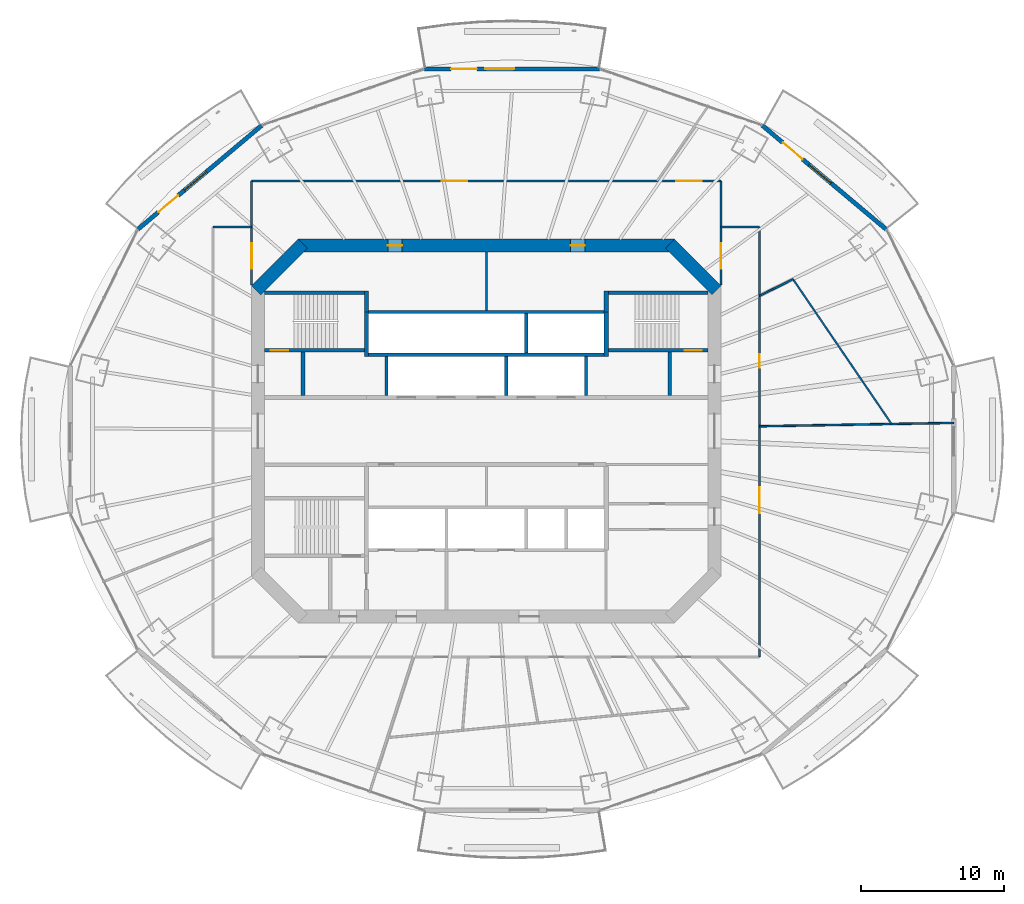
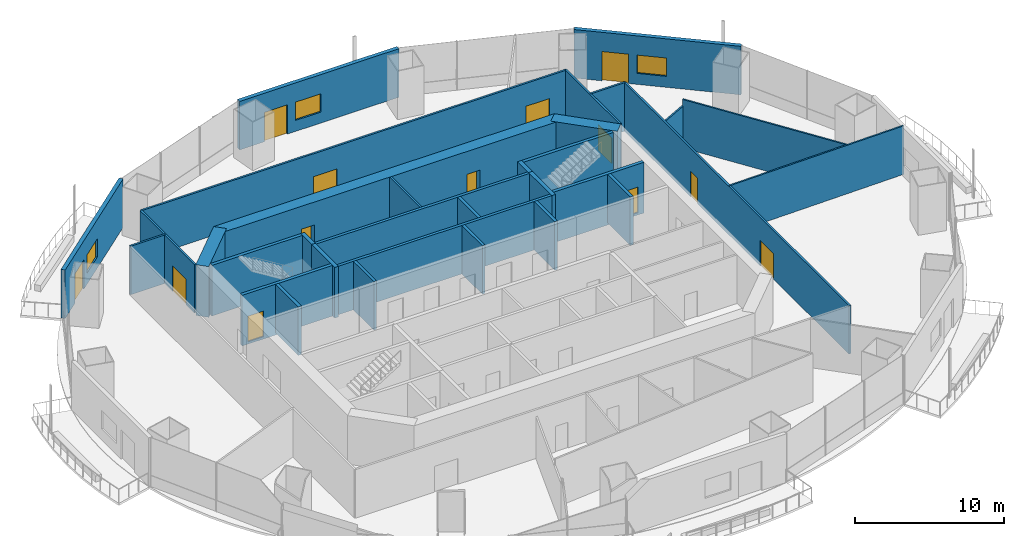
# One storey, part 14 of 21: 32 walls, 13 doors, 3 windows, 16 openings.
"""IFC4 building model written with IfcOpenShell, lengths in metres."""

import ifcopenshell
import ifcopenshell.guid

model = None  # the IFC model being written
_history = None  # IfcOwnerHistory: only IFC2X3 demands one
_inside = {}  # id of a spatial element -> (the spatial element, [elements in it])
_under = {}  # id of a project, library or spatial element -> (it, [spatial elements below it])
_declared = {}  # id of a project -> (the project, [libraries it declares])
_typed = {}  # id of a type object -> (the type object, [elements of that type])
_made_of = {}  # id of a material, layer set ... -> (it, [elements and type objects made of it])


def new_model(schema):
    """Start an empty IFC model of exactly this schema.

    Asked for "IFC4X3", IfcOpenShell would pick the latest addendum, in which some entities
    have other attributes; the version numbers below select the first issue.
    IFC2X3 requires an IfcOwnerHistory on every rooted entity: one is made here for all.
    """
    global model, _history
    if schema == "IFC4X3":
        model = ifcopenshell.file(schema_version=(4, 3, 0, 0))
    else:
        model = ifcopenshell.file(schema=schema)
    _inside.clear()
    _under.clear()
    _declared.clear()
    _typed.clear()
    _made_of.clear()
    _history = None
    if model.schema == "IFC2X3":
        org = make("IfcOrganization", Name="unknown")
        user = make(
            "IfcPersonAndOrganization",
            ThePerson=make("IfcPerson", FamilyName="unknown"),
            TheOrganization=org,
        )
        app = make(
            "IfcApplication",
            ApplicationDeveloper=org,
            Version="unknown",
            ApplicationFullName="unknown",
            ApplicationIdentifier="unknown",
        )
        _history = make(
            "IfcOwnerHistory",
            OwningUser=user,
            OwningApplication=app,
            ChangeAction="ADDED",
            CreationDate=0,
        )
    return model


def make(cls, **values):
    """One entity of the class cls with the attributes given. An attribute that is None is left unset."""
    return model.create_entity(
        cls, **{name: value for name, value in values.items() if value is not None}
    )


def rooted(cls, **values):
    """An entity with a GlobalId (a new one), such as an element, a storey or a relation."""
    return make(cls, GlobalId=ifcopenshell.guid.new(), OwnerHistory=_history, **values)


def si_unit(unit_type, name, prefix=None):
    """IfcSIUnit, for example si_unit("LENGTHUNIT", "METRE", prefix="MILLI")."""
    return make("IfcSIUnit", UnitType=unit_type, Prefix=prefix, Name=name)


def assignment(units):
    """IfcUnitAssignment: the units of a project."""
    return None if units is None else make("IfcUnitAssignment", Units=units)


def point(xyz):
    """IfcCartesianPoint."""
    return None if xyz is None else make("IfcCartesianPoint", Coordinates=xyz)


def direction(xyz):
    """IfcDirection."""
    return None if xyz is None else make("IfcDirection", DirectionRatios=xyz)


def frame(location, z_axis=None, x_axis=None):
    """IfcAxis2Placement3D, a coordinate frame: its origin and axes. An axis left out is left unset."""
    return make(
        "IfcAxis2Placement3D",
        Location=point(location),
        Axis=direction(z_axis),
        RefDirection=direction(x_axis),
    )


def frame_2d(location, x_axis=None):
    """IfcAxis2Placement2D, a coordinate frame in the plane: its origin and x axis."""
    return make(
        "IfcAxis2Placement2D", Location=point(location), RefDirection=direction(x_axis)
    )


def origin():
    """The frame at (0, 0, 0) with its axes left unset."""
    return frame((0.0, 0.0, 0.0))


def place(relative_to, where):
    """IfcLocalPlacement: puts the frame where relative to a parent placement (None: the world)."""
    return make(
        "IfcLocalPlacement", PlacementRelTo=relative_to, RelativePlacement=where
    )


def context(
    kind, dimensions, precision=None, world=None, true_north=None, identifier=None
):
    """IfcGeometricRepresentationContext, for example the 3D "Model" context."""
    return make(
        "IfcGeometricRepresentationContext",
        ContextIdentifier=identifier,
        ContextType=kind,
        CoordinateSpaceDimension=dimensions,
        Precision=precision,
        WorldCoordinateSystem=world,
        TrueNorth=true_north,
    )


def subcontext(parent, identifier, kind, view, scale=None):
    """IfcGeometricRepresentationSubContext, for example "Body" below "Model"."""
    return make(
        "IfcGeometricRepresentationSubContext",
        ContextIdentifier=identifier,
        ContextType=kind,
        ParentContext=parent,
        TargetScale=scale,
        TargetView=view,
    )


def project(units=None, contexts=None):
    """IfcProject with its units and contexts."""
    return rooted(
        "IfcProject",
        Name="project",
        RepresentationContexts=contexts,
        UnitsInContext=assignment(units),
    )


def spatial(cls, under=None, at=None, **own):
    """A site, building, storey or space (cls), placed at a placement, below another one or the project."""
    s = rooted(cls, ObjectPlacement=at, **own)
    if under is not None:
        _under.setdefault(under.id(), (under, []))[1].append(s)
    return s


def profile(cls, at=None, kind="AREA", **sizes):
    """A parametric profile (cls). Its sizes go by their IFC names, for example OverallWidth=200.0."""
    return make(cls, ProfileType=kind, Position=at, **sizes)


def rectangle(**sizes):
    """IfcRectangleProfileDef."""
    return profile("IfcRectangleProfileDef", **sizes)


def extrude(swept, where, along, depth):
    """IfcExtrudedAreaSolid: the profile swept, set in the frame where, extruded along a direction by depth."""
    return make(
        "IfcExtrudedAreaSolid",
        SweptArea=swept,
        Position=where,
        ExtrudedDirection=direction(along),
        Depth=depth,
    )


def shape(context_of_items, identifier, shape_type, items):
    """IfcShapeRepresentation: the items that make up one representation, for example the "Body"."""
    return make(
        "IfcShapeRepresentation",
        ContextOfItems=context_of_items,
        RepresentationIdentifier=identifier,
        RepresentationType=shape_type,
        Items=items,
    )


def material(Name=None, Category=None):
    """IfcMaterial."""
    return make("IfcMaterial", Name=Name, Category=Category)


def layer(
    of_material, thickness, ventilated=None, Name=None, Category=None, Priority=None
):
    """IfcMaterialLayer: one layer of a wall or slab, of a material (None: an air gap)."""
    return make(
        "IfcMaterialLayer",
        Material=of_material,
        LayerThickness=thickness,
        IsVentilated=ventilated,
        Name=Name,
        Category=Category,
        Priority=Priority,
    )


def layer_set(layers, Name=None):
    """IfcMaterialLayerSet."""
    return make("IfcMaterialLayerSet", MaterialLayers=layers, LayerSetName=Name)


def made_of(thing, what):
    """Note that an element or type object is made of a material, layer set ...; save() writes the relation."""
    if what is not None:
        _made_of.setdefault(what.id(), (what, []))[1].append(thing)
    return thing


def type_object(cls, material=None, **own):
    """A type object (cls), such as IfcWallType, which elements share."""
    return made_of(rooted(cls, **own), material)


def element(
    cls,
    number,
    at=None,
    inside=None,
    cuts=None,
    type_object=None,
    material=None,
    context=None,
    identifier="Body",
    shape_type=None,
    held_by="IfcProductDefinitionShape",
    body=None,
    shapes=None,
    **own,
):
    """One element of the class cls, such as IfcWall. Its Tag is "e" and its number.

    at: its placement. inside: the storey or other place that contains it. cuts: it is an
    opening in that element (IfcRelVoidsElement). A single representation is given by context,
    identifier, shape_type and body (its items); several are given by shapes. held_by: the class
    of the entity that holds the representations. save() writes the other relations.
    """
    e = rooted(cls, Tag="e%d" % number, ObjectPlacement=at, **own)
    if body is not None:
        shapes = [shape(context, identifier, shape_type, body)]
    if shapes is not None:
        e.Representation = make(held_by, Representations=shapes)
    if inside is not None:
        _inside.setdefault(inside.id(), (inside, []))[1].append(e)
    if cuts is not None:
        rooted(
            "IfcRelVoidsElement", RelatingBuildingElement=cuts, RelatedOpeningElement=e
        )
    if type_object is not None:
        _typed.setdefault(type_object.id(), (type_object, []))[1].append(e)
    return made_of(e, material)


def fill(opening, filler):
    """IfcRelFillsElement: the door or window that sits in an opening."""
    return rooted(
        "IfcRelFillsElement",
        RelatingOpeningElement=opening,
        RelatedBuildingElement=filler,
    )


def aggregate(whole, parts):
    """IfcRelAggregates: a whole, such as a stair, and the parts it consists of."""
    return rooted("IfcRelAggregates", RelatingObject=whole, RelatedObjects=parts)


def save(model, path):
    """Write the relations noted so far, then the file.

    IfcRelAggregates (storeys below a building ...), IfcRelContainedInSpatialStructure (elements
    in a storey), IfcRelDefinesByType, IfcRelAssociatesMaterial and IfcRelDeclares: one each for
    every whole, place, type object, material and project.
    """
    for whole, parts in _under.values():
        aggregate(whole, parts)
    for where, things in _inside.values():
        rooted(
            "IfcRelContainedInSpatialStructure",
            RelatedElements=things,
            RelatingStructure=where,
        )
    for kind, things in _typed.values():
        rooted("IfcRelDefinesByType", RelatedObjects=things, RelatingType=kind)
    for what, things in _made_of.values():
        rooted("IfcRelAssociatesMaterial", RelatedObjects=things, RelatingMaterial=what)
    for by, libraries in _declared.values():
        rooted("IfcRelDeclares", RelatingContext=by, RelatedDefinitions=libraries)
    model.write(path)


model = new_model("IFC4")

# Units and contexts
model_context = context("Model", 3, precision=1e-05, world=origin(), true_north=direction((0.0, 1.0)))
body_context = subcontext(model_context, "Body", "Model", "MODEL_VIEW")
ifc_project = project(units=[si_unit("LENGTHUNIT", "METRE"), si_unit("AREAUNIT", "SQUARE_METRE"), si_unit("VOLUMEUNIT", "CUBIC_METRE"), si_unit("PLANEANGLEUNIT", "RADIAN"), si_unit("MASSUNIT", "GRAM", prefix="KILO")], contexts=[model_context])

# Site, building, storey
site_placement = place(None, origin())
site = spatial("IfcSite", under=ifc_project, at=site_placement, CompositionType="ELEMENT")
building_placement = place(site_placement, origin())
building = spatial("IfcBuilding", under=site, at=building_placement, Name="Marenthal Gate Tower", CompositionType="ELEMENT")
storey_placement = place(building_placement, frame((0.0, 0.0, 198.39990234375)))
storey = spatial("IfcBuildingStorey", under=building, at=storey_placement, Name="L43", CompositionType="ELEMENT", Elevation=198.39990234375)

# Wall
ifc_material_1 = material(Name="Concrete 60 MPa", Category="concrete")
ifc_layer_1 = layer(ifc_material_1, 0.89990234375)
ifc_layer_set_1 = layer_set([ifc_layer_1], Name="Core shear wall 900")
wall_type_1 = type_object("IfcWallType", Name="Core shear wall 900", PredefinedType="SHEAR", material=ifc_layer_set_1)
wall_1_placement = place(storey_placement, frame((16.1318359375, 9.8681640625, -0.179931640625), z_axis=(0.0, 0.0, 1.0), x_axis=(-0.707106781187, 0.707106781187, 0.0)))
element("IfcWall", 1, at=wall_1_placement, inside=storey, type_object=wall_type_1, Name="Core wall 03", PredefinedType="SHEAR", context=body_context, shape_type="SweptSolid", body=[
    extrude(rectangle(XDim=4.615478515625, YDim=0.89990234375, at=frame_2d((2.3076171875, 0.0))), origin(), (0.0, 0.0, 1.0), 4.150146484375),
])

# Wall, openings, doors
wall_2_placement = place(storey_placement, frame((13.186279296875, 13.0, -0.179931640625), z_axis=(0.0, 0.0, 1.0), x_axis=(-1.0, 0.0, 0.0)))
wall_2 = element("IfcWall", 2, at=wall_2_placement, inside=storey, type_object=wall_type_1, Name="Core wall 04", PredefinedType="SHEAR", context=body_context, shape_type="SweptSolid", body=[
    extrude(rectangle(XDim=26.37255859375, YDim=0.89990234375, at=frame_2d((13.186279296875, 0.0))), origin(), (0.0, 0.0, 1.0), 4.150146484375),
])
opening_1_placement = place(wall_2_placement, frame((19.093505859375, 0.0, 0.179931640625)))
opening_1 = element("IfcOpeningElement", 3, at=opening_1_placement, cuts=wall_2, Name="Opening D005.03", PredefinedType="OPENING", context=body_context, shape_type="SweptSolid", body=[
    extrude(rectangle(XDim=1.0, YDim=2.10009765625, at=frame_2d((0.5, 1.050048828125))), frame((0.0, 0.4599609375, 0.0), z_axis=(0.0, -1.0, 0.0), x_axis=(1.0, 0.0, 0.0)), (0.0, 0.0, 1.0), 0.919921875),
])
opening_2_placement = place(wall_2_placement, frame((6.279296875, 0.0, 0.179931640625)))
opening_2 = element("IfcOpeningElement", 4, at=opening_2_placement, cuts=wall_2, Name="Opening D005.04", PredefinedType="OPENING", context=body_context, shape_type="SweptSolid", body=[
    extrude(rectangle(XDim=1.0, YDim=2.10009765625, at=frame_2d((0.5, 1.050048828125))), frame((0.0, 0.4599609375, 0.0), z_axis=(0.0, -1.0, 0.0), x_axis=(1.0, 0.0, 0.0)), (0.0, 0.0, 1.0), 0.919921875),
])
ifc_material_2 = material(Name="Steel fire door", Category="steel")
door_type_1 = type_object("IfcDoorType", Name="Fire door FD 45 1000 x 2100", OperationType="NOTDEFINED", PredefinedType="DOOR", material=ifc_material_2)
door_1_placement = place(opening_1_placement, origin())
door_1 = element("IfcDoor", 5, at=door_1_placement, inside=storey, type_object=door_type_1, Name="Door D005.03", OperationType="SINGLE_SWING_RIGHT", OverallHeight=2.10009765625, OverallWidth=1.0, PredefinedType="DOOR", context=body_context, shape_type="SweptSolid", body=[
    extrude(rectangle(XDim=1.0, YDim=2.10009765625, at=frame_2d((0.5, 1.050048828125))), frame((0.0, 0.02490234375, 0.0), z_axis=(0.0, -1.0, 0.0), x_axis=(1.0, 0.0, 0.0)), (0.0, 0.0, 1.0), 0.050048828125),
])
fill(opening_1, door_1)
door_2_placement = place(opening_2_placement, origin())
door_2 = element("IfcDoor", 6, at=door_2_placement, inside=storey, type_object=door_type_1, Name="Door D005.04", OperationType="SINGLE_SWING_RIGHT", OverallHeight=2.10009765625, OverallWidth=1.0, PredefinedType="DOOR", context=body_context, shape_type="SweptSolid", body=[
    extrude(rectangle(XDim=1.0, YDim=2.10009765625, at=frame_2d((0.5, 1.050048828125))), frame((0.0, 0.02490234375, 0.0), z_axis=(0.0, -1.0, 0.0), x_axis=(1.0, 0.0, 0.0)), (0.0, 0.0, 1.0), 0.050048828125),
])
fill(opening_2, door_2)

# Walls
wall_3_placement = place(storey_placement, frame((-12.8681640625, 13.1318359375, -0.179931640625), z_axis=(0.0, 0.0, 1.0), x_axis=(-0.707106781187, -0.707106781187, 0.0)))
element("IfcWall", 7, at=wall_3_placement, inside=storey, type_object=wall_type_1, Name="Core wall 05", PredefinedType="SHEAR", context=body_context, shape_type="SweptSolid", body=[
    extrude(rectangle(XDim=4.615478515625, YDim=0.89990234375, at=frame_2d((2.3076171875, 0.0))), origin(), (0.0, 0.0, 1.0), 4.150146484375),
])
ifc_material_3 = material(Name="Concrete 50 MPa", Category="concrete")
ifc_layer_2 = layer(ifc_material_3, 0.300048828125)
ifc_layer_set_2 = layer_set([ifc_layer_2], Name="Hoistway shear wall 300")
wall_type_2 = type_object("IfcWallType", Name="Hoistway shear wall 300", PredefinedType="SHEAR", material=ifc_layer_set_2)
for number, where, z_axis, x_axis, name in (
    (8, (-8.39990234375, 5.239990234375, -0.179931640625), (0.0, 0.0, 1.0), (0.0, 1.0, 0.0), "Hoistway wall 32"),
    (9, (8.39990234375, 5.239990234375, -0.179931640625), (0.0, 0.0, 1.0), (0.0, 1.0, 0.0), "Hoistway wall 46"),
):
    element("IfcWall", number, at=place(storey_placement, frame(where, z_axis=z_axis, x_axis=x_axis)), inside=storey, type_object=wall_type_2, Name=name, PredefinedType="SHEAR", context=body_context, shape_type="SweptSolid", body=[
        extrude(rectangle(XDim=3.110107421875, YDim=0.300048828125, at=frame_2d((1.55517578125, 0.0))), origin(), (0.0, 0.0, 1.0), 4.150146484375),
    ])
ifc_material_4 = material(Name="Concrete 40 MPa", Category="concrete")
ifc_layer_3 = layer(ifc_material_4, 0.219970703125)
ifc_layer_set_3 = layer_set([ifc_layer_3], Name="Hoistway wall 220")
wall_type_3 = type_object("IfcWallType", Name="Hoistway wall 220", PredefinedType="STANDARD", material=ifc_layer_set_3)
for number, where, z_axis, x_axis, name in (
    (10, (-8.25, 5.35009765625, 0.0), (0.0, 0.0, 1.0), (1.0, 0.0, 0.0), "Hoistway wall 22"),
    (11, (-8.25, 8.35009765625, 0.0), (0.0, 0.0, 1.0), (1.0, 0.0, 0.0), "Hoistway wall 25"),
):
    element("IfcWall", number, at=place(storey_placement, frame(where, z_axis=z_axis, x_axis=x_axis)), inside=storey, type_object=wall_type_3, Name=name, PredefinedType="STANDARD", context=body_context, shape_type="SweptSolid", body=[
        extrude(rectangle(XDim=16.5, YDim=0.219970703125, at=frame_2d((8.25, 0.0))), origin(), (0.0, 0.0, 1.0), 3.97021484375),
    ])
for number, where, z_axis, x_axis, name in (
    (12, (-7.0, 2.5, 0.0), (0.0, 0.0, 1.0), (0.0, 1.0, 0.0), "Hoistway wall 34"),
    (13, (1.39990234375, 2.5, 0.0), (0.0, 0.0, 1.0), (0.0, 1.0, 0.0), "Hoistway wall 39"),
):
    element("IfcWall", number, at=place(storey_placement, frame(where, z_axis=z_axis, x_axis=x_axis)), inside=storey, type_object=wall_type_3, Name=name, PredefinedType="STANDARD", context=body_context, shape_type="SweptSolid", body=[
        extrude(rectangle(XDim=2.739990234375, YDim=0.219970703125, at=frame_2d((1.3701171875, 0.0))), origin(), (0.0, 0.0, 1.0), 3.97021484375),
    ])
wall_4_placement = place(storey_placement, frame((2.800048828125, 5.4599609375, 0.0), z_axis=(0.0, 0.0, 1.0), x_axis=(0.0, 1.0, 0.0)))
element("IfcWall", 14, at=wall_4_placement, inside=storey, type_object=wall_type_3, Name="Hoistway wall 41", PredefinedType="STANDARD", context=body_context, shape_type="SweptSolid", body=[
    extrude(rectangle(XDim=2.780029296875, YDim=0.219970703125, at=frame_2d((1.39013671875, 0.0))), origin(), (0.0, 0.0, 1.0), 3.97021484375),
])
wall_5_placement = place(storey_placement, frame((7.0, 2.5, 0.0), z_axis=(0.0, 0.0, 1.0), x_axis=(0.0, 1.0, 0.0)))
element("IfcWall", 15, at=wall_5_placement, inside=storey, type_object=wall_type_3, Name="Hoistway wall 43", PredefinedType="STANDARD", context=body_context, shape_type="SweptSolid", body=[
    extrude(rectangle(XDim=2.739990234375, YDim=0.219970703125, at=frame_2d((1.3701171875, 0.0))), origin(), (0.0, 0.0, 1.0), 3.97021484375),
])
ifc_material_5 = material(Name="Gypsum board on steel studs", Category="steel")
ifc_layer_4 = layer(ifc_material_5, 0.1201171875)
ifc_layer_set_4 = layer_set([ifc_layer_4], Name="Partition 120")
wall_type_4 = type_object("IfcWallType", Name="Partition 120", PredefinedType="PARTITIONING", material=ifc_layer_set_4)
wall_6_placement = place(storey_placement, frame((19.14990234375, 0.33251953125, 0.0), z_axis=(0.0, 0.0, 1.0), x_axis=(0.999849395868, 0.01735469912, 0.0)))
element("IfcWall", 16, at=wall_6_placement, inside=storey, type_object=wall_type_4, Name="Partition wall 65", PredefinedType="PARTITIONING", context=body_context, shape_type="SweptSolid", body=[
    extrude(rectangle(XDim=13.617431640625, YDim=0.1201171875, at=frame_2d((6.80859375, 0.0))), origin(), (0.0, 0.0, 1.0), 3.97021484375),
])
wall_7_placement = place(storey_placement, frame((21.502685546875, 10.64111328125, 0.0), z_axis=(0.0, 0.0, 1.0), x_axis=(-0.896298018084, -0.443452210254, 0.0)))
element("IfcWall", 17, at=wall_7_placement, inside=storey, type_object=wall_type_4, Name="Partition wall 67", PredefinedType="PARTITIONING", context=body_context, shape_type="SweptSolid", body=[
    extrude(rectangle(XDim=2.625, YDim=0.1201171875, at=frame_2d((1.3125, 0.0))), origin(), (0.0, 0.0, 1.0), 3.426025390625),
])
wall_8_placement = place(storey_placement, frame((28.408447265625, 0.493408203125, 0.0), z_axis=(0.0, 0.0, 1.0), x_axis=(-0.562606484452, 0.826724829464, 0.0)))
element("IfcWall", 18, at=wall_8_placement, inside=storey, type_object=wall_type_4, Name="Partition wall 68", PredefinedType="PARTITIONING", context=body_context, shape_type="SweptSolid", body=[
    extrude(rectangle(XDim=12.274658203125, YDim=0.1201171875, at=frame_2d((6.13720703125, 0.0))), origin(), (0.0, 0.0, 1.0), 3.97021484375),
])
ifc_material_6 = material(Name="Gypsum board on steel studs", Category="steel")
ifc_layer_5 = layer(ifc_material_6, 0.14990234375)
ifc_layer_set_5 = layer_set([ifc_layer_5], Name="Partition 150")
wall_type_5 = type_object("IfcWallType", Name="Partition 150", PredefinedType="PARTITIONING", material=ifc_layer_set_5)
wall_9_placement = place(storey_placement, frame((0.0, 8.4599609375, 0.0), z_axis=(0.0, 0.0, 1.0), x_axis=(0.0, 1.0, 0.0)))
element("IfcWall", 19, at=wall_9_placement, inside=storey, type_object=wall_type_5, Name="Partition wall 38", PredefinedType="PARTITIONING", context=body_context, shape_type="SweptSolid", body=[
    extrude(rectangle(XDim=4.090087890625, YDim=0.14990234375, at=frame_2d((2.044921875, 0.0))), origin(), (0.0, 0.0, 1.0), 3.97021484375),
])
wall_10_placement = place(storey_placement, frame((-19.14990234375, 14.30126953125, 0.0), z_axis=(0.0, 0.0, 1.0), x_axis=(1.0, 0.0, 0.0)))
element("IfcWall", 20, at=wall_10_placement, inside=storey, type_object=wall_type_5, Name="Partition wall 51", PredefinedType="PARTITIONING", context=body_context, shape_type="SweptSolid", body=[
    extrude(rectangle(XDim=2.699951171875, YDim=0.14990234375, at=frame_2d((1.35009765625, 0.0))), origin(), (0.0, 0.0, 1.0), 3.97021484375),
])

# Wall, opening, door
wall_11_placement = place(storey_placement, frame((-16.449951171875, 10.25, 0.0), z_axis=(0.0, 0.0, 1.0), x_axis=(0.0, 1.0, 0.0)))
wall_11 = element("IfcWall", 21, at=wall_11_placement, inside=storey, type_object=wall_type_5, Name="Partition wall 52", PredefinedType="PARTITIONING", context=body_context, shape_type="SweptSolid", body=[
    extrude(rectangle(XDim=7.284423828125, YDim=0.14990234375, at=frame_2d((3.64208984375, 0.0))), origin(), (0.0, 0.0, 1.0), 3.97021484375),
])
opening_3_placement = place(wall_11_placement, frame((1.1259765625, 0.0, 0.0)))
opening_3 = element("IfcOpeningElement", 22, at=opening_3_placement, cuts=wall_11, Name="Opening D014.05", PredefinedType="OPENING", context=body_context, shape_type="SweptSolid", body=[
    extrude(rectangle(XDim=1.800048828125, YDim=2.10009765625, at=frame_2d((0.89990234375, 1.050048828125))), frame((0.0, 0.0849609375, 0.0), z_axis=(0.0, -1.0, 0.0), x_axis=(1.0, 0.0, 0.0)), (0.0, 0.0, 1.0), 0.169921875),
])
ifc_material_7 = material(Name="Timber door", Category="wood")
door_type_2 = type_object("IfcDoorType", Name="Double door 1800 x 2100", OperationType="DOUBLE_DOOR_SINGLE_SWING", PredefinedType="DOOR", material=ifc_material_7)
door_3_placement = place(opening_3_placement, origin())
door_3 = element("IfcDoor", 23, at=door_3_placement, inside=storey, type_object=door_type_2, Name="Door D014.05", OperationType="DOUBLE_DOOR_SINGLE_SWING", OverallHeight=2.10009765625, OverallWidth=1.800048828125, PredefinedType="DOOR", context=body_context, shape_type="SweptSolid", body=[
    extrude(rectangle(XDim=1.800048828125, YDim=2.10009765625, at=frame_2d((0.89990234375, 1.050048828125))), frame((0.0, 0.02490234375, 0.0), z_axis=(0.0, -1.0, 0.0), x_axis=(1.0, 0.0, 0.0)), (0.0, 0.0, 1.0), 0.050048828125),
])
fill(opening_3, door_3)

# Wall, openings, doors
wall_12_placement = place(storey_placement, frame((-16.449951171875, 17.534423828125, 0.0), z_axis=(0.0, 0.0, 1.0), x_axis=(1.0, 0.0, 0.0)))
wall_12 = element("IfcWall", 24, at=wall_12_placement, inside=storey, type_object=wall_type_5, Name="Partition wall 53", PredefinedType="PARTITIONING", context=body_context, shape_type="SweptSolid", body=[
    extrude(rectangle(XDim=32.89990234375, YDim=0.14990234375, at=frame_2d((16.449951171875, 0.0))), origin(), (0.0, 0.0, 1.0), 3.97021484375),
])
opening_4_placement = place(wall_12_placement, frame((29.761962890625, 0.0, 0.0)))
opening_4 = element("IfcOpeningElement", 25, at=opening_4_placement, cuts=wall_12, Name="Opening D014.01", PredefinedType="OPENING", context=body_context, shape_type="SweptSolid", body=[
    extrude(rectangle(XDim=1.800048828125, YDim=2.10009765625, at=frame_2d((0.89990234375, 1.050048828125))), frame((0.0, 0.0849609375, 0.0), z_axis=(0.0, -1.0, 0.0), x_axis=(1.0, 0.0, 0.0)), (0.0, 0.0, 1.0), 0.169921875),
])
opening_5_placement = place(wall_12_placement, frame((13.31201171875, 0.0, 0.0)))
opening_5 = element("IfcOpeningElement", 26, at=opening_5_placement, cuts=wall_12, Name="Opening D014.02", PredefinedType="OPENING", context=body_context, shape_type="SweptSolid", body=[
    extrude(rectangle(XDim=1.800048828125, YDim=2.10009765625, at=frame_2d((0.89990234375, 1.050048828125))), frame((0.0, 0.0849609375, 0.0), z_axis=(0.0, -1.0, 0.0), x_axis=(1.0, 0.0, 0.0)), (0.0, 0.0, 1.0), 0.169921875),
])
door_4_placement = place(opening_4_placement, origin())
door_4 = element("IfcDoor", 27, at=door_4_placement, inside=storey, type_object=door_type_2, Name="Door D014.01", OperationType="DOUBLE_DOOR_SINGLE_SWING", OverallHeight=2.10009765625, OverallWidth=1.800048828125, PredefinedType="DOOR", context=body_context, shape_type="SweptSolid", body=[
    extrude(rectangle(XDim=1.800048828125, YDim=2.10009765625, at=frame_2d((0.89990234375, 1.050048828125))), frame((0.0, 0.02490234375, 0.0), z_axis=(0.0, -1.0, 0.0), x_axis=(1.0, 0.0, 0.0)), (0.0, 0.0, 1.0), 0.050048828125),
])
fill(opening_4, door_4)
door_5_placement = place(opening_5_placement, origin())
door_5 = element("IfcDoor", 28, at=door_5_placement, inside=storey, type_object=door_type_2, Name="Door D014.02", OperationType="DOUBLE_DOOR_SINGLE_SWING", OverallHeight=2.10009765625, OverallWidth=1.800048828125, PredefinedType="DOOR", context=body_context, shape_type="SweptSolid", body=[
    extrude(rectangle(XDim=1.800048828125, YDim=2.10009765625, at=frame_2d((0.89990234375, 1.050048828125))), frame((0.0, 0.02490234375, 0.0), z_axis=(0.0, -1.0, 0.0), x_axis=(1.0, 0.0, 0.0)), (0.0, 0.0, 1.0), 0.050048828125),
])
fill(opening_5, door_5)

# Wall, opening, door
wall_13_placement = place(storey_placement, frame((16.449951171875, 10.25, 0.0), z_axis=(0.0, 0.0, 1.0), x_axis=(0.0, 1.0, 0.0)))
wall_13 = element("IfcWall", 29, at=wall_13_placement, inside=storey, type_object=wall_type_5, Name="Partition wall 62", PredefinedType="PARTITIONING", context=body_context, shape_type="SweptSolid", body=[
    extrude(rectangle(XDim=7.284423828125, YDim=0.14990234375, at=frame_2d((3.64208984375, 0.0))), origin(), (0.0, 0.0, 1.0), 3.97021484375),
])
opening_6_placement = place(wall_13_placement, frame((1.1259765625, 0.0, 0.0)))
opening_6 = element("IfcOpeningElement", 30, at=opening_6_placement, cuts=wall_13, Name="Opening D014.06", PredefinedType="OPENING", context=body_context, shape_type="SweptSolid", body=[
    extrude(rectangle(XDim=1.800048828125, YDim=2.10009765625, at=frame_2d((0.89990234375, 1.050048828125))), frame((0.0, 0.0849609375, 0.0), z_axis=(0.0, -1.0, 0.0), x_axis=(1.0, 0.0, 0.0)), (0.0, 0.0, 1.0), 0.169921875),
])
door_6_placement = place(opening_6_placement, origin())
door_6 = element("IfcDoor", 31, at=door_6_placement, inside=storey, type_object=door_type_2, Name="Door D014.06", OperationType="DOUBLE_DOOR_SINGLE_SWING", OverallHeight=2.10009765625, OverallWidth=1.800048828125, PredefinedType="DOOR", context=body_context, shape_type="SweptSolid", body=[
    extrude(rectangle(XDim=1.800048828125, YDim=2.10009765625, at=frame_2d((0.89990234375, 1.050048828125))), frame((0.0, 0.02490234375, 0.0), z_axis=(0.0, -1.0, 0.0), x_axis=(1.0, 0.0, 0.0)), (0.0, 0.0, 1.0), 0.050048828125),
])
fill(opening_6, door_6)

# Wall
wall_14_placement = place(storey_placement, frame((16.449951171875, 14.30126953125, 0.0), z_axis=(0.0, 0.0, 1.0), x_axis=(1.0, 0.0, 0.0)))
element("IfcWall", 32, at=wall_14_placement, inside=storey, type_object=wall_type_5, Name="Partition wall 63", PredefinedType="PARTITIONING", context=body_context, shape_type="SweptSolid", body=[
    extrude(rectangle(XDim=2.699951171875, YDim=0.14990234375, at=frame_2d((1.35009765625, 0.0))), origin(), (0.0, 0.0, 1.0), 3.97021484375),
])

# Wall, openings, doors
wall_15_placement = place(storey_placement, frame((19.14990234375, 14.30126953125, 0.0), z_axis=(0.0, 0.0, 1.0), x_axis=(0.0, -1.0, 0.0)))
wall_15 = element("IfcWall", 33, at=wall_15_placement, inside=storey, type_object=wall_type_5, Name="Partition wall 66", PredefinedType="PARTITIONING", context=body_context, shape_type="SweptSolid", body=[
    extrude(rectangle(XDim=30.1513671875, YDim=0.14990234375, at=frame_2d((15.07568359375, 0.0))), origin(), (0.0, 0.0, 1.0), 3.97021484375),
])
opening_7_placement = place(wall_15_placement, frame((8.9208984375, 0.0, 0.0)))
opening_7 = element("IfcOpeningElement", 34, at=opening_7_placement, cuts=wall_15, Name="Opening D016.01", PredefinedType="OPENING", context=body_context, shape_type="SweptSolid", body=[
    extrude(rectangle(XDim=0.949951171875, YDim=2.10009765625, at=frame_2d((0.47509765625, 1.050048828125))), frame((0.0, 0.0849609375, 0.0), z_axis=(0.0, -1.0, 0.0), x_axis=(1.0, 0.0, 0.0)), (0.0, 0.0, 1.0), 0.169921875),
])
opening_8_placement = place(wall_15_placement, frame((18.260009765625, 0.0, 0.0)))
opening_8 = element("IfcOpeningElement", 35, at=opening_8_placement, cuts=wall_15, Name="Opening D014.04", PredefinedType="OPENING", context=body_context, shape_type="SweptSolid", body=[
    extrude(rectangle(XDim=1.800048828125, YDim=2.10009765625, at=frame_2d((0.89990234375, 1.050048828125))), frame((0.0, 0.0849609375, 0.0), z_axis=(0.0, -1.0, 0.0), x_axis=(1.0, 0.0, 0.0)), (0.0, 0.0, 1.0), 0.169921875),
])
ifc_material_8 = material(Name="Timber door", Category="wood")
door_type_3 = type_object("IfcDoorType", Name="Door 950 x 2100", OperationType="NOTDEFINED", PredefinedType="DOOR", material=ifc_material_8)
door_7_placement = place(opening_7_placement, origin())
door_7 = element("IfcDoor", 36, at=door_7_placement, inside=storey, type_object=door_type_3, Name="Door D016.01", OperationType="SINGLE_SWING_RIGHT", OverallHeight=2.10009765625, OverallWidth=0.949951171875, PredefinedType="DOOR", context=body_context, shape_type="SweptSolid", body=[
    extrude(rectangle(XDim=0.949951171875, YDim=2.10009765625, at=frame_2d((0.47509765625, 1.050048828125))), frame((0.0, 0.02490234375, 0.0), z_axis=(0.0, -1.0, 0.0), x_axis=(1.0, 0.0, 0.0)), (0.0, 0.0, 1.0), 0.050048828125),
])
fill(opening_7, door_7)
door_8_placement = place(opening_8_placement, origin())
door_8 = element("IfcDoor", 37, at=door_8_placement, inside=storey, type_object=door_type_2, Name="Door D014.04", OperationType="DOUBLE_DOOR_SINGLE_SWING", OverallHeight=2.10009765625, OverallWidth=1.800048828125, PredefinedType="DOOR", context=body_context, shape_type="SweptSolid", body=[
    extrude(rectangle(XDim=1.800048828125, YDim=2.10009765625, at=frame_2d((0.89990234375, 1.050048828125))), frame((0.0, 0.02490234375, 0.0), z_axis=(0.0, -1.0, 0.0), x_axis=(1.0, 0.0, 0.0)), (0.0, 0.0, 1.0), 0.050048828125),
])
fill(opening_8, door_8)

# Walls
ifc_material_9 = material(Name="Concrete 40 MPa", Category="concrete")
ifc_layer_6 = layer(ifc_material_9, 0.25)
ifc_layer_set_6 = layer_set([ifc_layer_6], Name="Stair enclosure wall 250")
wall_type_6 = type_object("IfcWallType", Name="Stair enclosure wall 250", PredefinedType="STANDARD", material=ifc_layer_set_6)
for number, where, z_axis, x_axis, name in (
    (38, (-12.85009765625, 2.47509765625, 0.0), (0.0, 0.0, 1.0), (0.0, 1.0, 0.0), "Stair wall 28"),
    (39, (12.85009765625, 2.47509765625, 0.0), (0.0, 0.0, 1.0), (0.0, 1.0, 0.0), "Stair wall 48"),
):
    element("IfcWall", number, at=place(storey_placement, frame(where, z_axis=z_axis, x_axis=x_axis)), inside=storey, type_object=wall_type_6, Name=name, PredefinedType="STANDARD", context=body_context, shape_type="SweptSolid", body=[
        extrude(rectangle(XDim=3.0498046875, YDim=0.25, at=frame_2d((1.52490234375, 0.0))), origin(), (0.0, 0.0, 1.0), 3.97021484375),
    ])

# Wall, opening, door
ifc_material_10 = material(Name="Concrete 50 MPa", Category="concrete")
ifc_layer_7 = layer(ifc_material_10, 0.25)
ifc_layer_set_7 = layer_set([ifc_layer_7], Name="Stair shear wall 250")
wall_type_7 = type_object("IfcWallType", Name="Stair shear wall 250", PredefinedType="SHEAR", material=ifc_layer_set_7)
wall_16_placement = place(storey_placement, frame((-15.550048828125, 5.64990234375, -0.179931640625), z_axis=(0.0, 0.0, 1.0), x_axis=(1.0, 0.0, 0.0)))
wall_16 = element("IfcWall", 40, at=wall_16_placement, inside=storey, type_object=wall_type_7, Name="Stair wall 23", PredefinedType="SHEAR", context=body_context, shape_type="SweptSolid", body=[
    extrude(rectangle(XDim=7.0, YDim=0.25, at=frame_2d((3.5, 0.0))), origin(), (0.0, 0.0, 1.0), 4.150146484375),
])
opening_9_placement = place(wall_16_placement, frame((0.449951171875, 0.0, 0.179931640625)))
opening_9 = element("IfcOpeningElement", 41, at=opening_9_placement, cuts=wall_16, Name="Opening D001.01", PredefinedType="OPENING", context=body_context, shape_type="SweptSolid", body=[
    extrude(rectangle(XDim=1.199951171875, YDim=2.10009765625, at=frame_2d((0.60009765625, 1.050048828125))), frame((0.0, 0.135009765625, 0.0), z_axis=(0.0, -1.0, 0.0), x_axis=(1.0, 0.0, 0.0)), (0.0, 0.0, 1.0), 0.27001953125),
])
ifc_material_11 = material(Name="Steel fire door", Category="steel")
door_type_4 = type_object("IfcDoorType", Name="Fire door FD 90 1200 x 2100", OperationType="NOTDEFINED", PredefinedType="DOOR", material=ifc_material_11)
door_9_placement = place(opening_9_placement, origin())
door_9 = element("IfcDoor", 42, at=door_9_placement, inside=storey, type_object=door_type_4, Name="Door D001.01", OperationType="SINGLE_SWING_RIGHT", OverallHeight=2.10009765625, OverallWidth=1.199951171875, PredefinedType="DOOR", context=body_context, shape_type="SweptSolid", body=[
    extrude(rectangle(XDim=1.199951171875, YDim=2.10009765625, at=frame_2d((0.60009765625, 1.050048828125))), frame((0.0, 0.02490234375, 0.0), z_axis=(0.0, -1.0, 0.0), x_axis=(1.0, 0.0, 0.0)), (0.0, 0.0, 1.0), 0.050048828125),
])
fill(opening_9, door_9)

wall_17_placement = place(storey_placement, frame((8.550048828125, 5.64990234375, -0.179931640625), z_axis=(0.0, 0.0, 1.0), x_axis=(1.0, 0.0, 0.0)))
wall_17 = element("IfcWall", 43, at=wall_17_placement, inside=storey, type_object=wall_type_7, Name="Stair wall 24", PredefinedType="SHEAR", context=body_context, shape_type="SweptSolid", body=[
    extrude(rectangle(XDim=7.0, YDim=0.25, at=frame_2d((3.5, 0.0))), origin(), (0.0, 0.0, 1.0), 4.150146484375),
])
opening_10_placement = place(wall_17_placement, frame((5.35009765625, 0.0, 0.179931640625)))
opening_10 = element("IfcOpeningElement", 44, at=opening_10_placement, cuts=wall_17, Name="Opening D001.02", PredefinedType="OPENING", context=body_context, shape_type="SweptSolid", body=[
    extrude(rectangle(XDim=1.199951171875, YDim=2.10009765625, at=frame_2d((0.60009765625, 1.050048828125))), frame((0.0, 0.135009765625, 0.0), z_axis=(0.0, -1.0, 0.0), x_axis=(1.0, 0.0, 0.0)), (0.0, 0.0, 1.0), 0.27001953125),
])
door_10_placement = place(opening_10_placement, origin())
door_10 = element("IfcDoor", 45, at=door_10_placement, inside=storey, type_object=door_type_4, Name="Door D001.02", OperationType="SINGLE_SWING_RIGHT", OverallHeight=2.10009765625, OverallWidth=1.199951171875, PredefinedType="DOOR", context=body_context, shape_type="SweptSolid", body=[
    extrude(rectangle(XDim=1.199951171875, YDim=2.10009765625, at=frame_2d((0.60009765625, 1.050048828125))), frame((0.0, 0.02490234375, 0.0), z_axis=(0.0, -1.0, 0.0), x_axis=(1.0, 0.0, 0.0)), (0.0, 0.0, 1.0), 0.050048828125),
])
fill(opening_10, door_10)

# Walls
for number, where, z_axis, x_axis, name in (
    (46, (-15.550048828125, 9.699951171875, -0.179931640625), (0.0, 0.0, 1.0), (1.0, 0.0, 0.0), "Stair wall 26"),
    (47, (8.550048828125, 9.699951171875, -0.179931640625), (0.0, 0.0, 1.0), (1.0, 0.0, 0.0), "Stair wall 27"),
):
    element("IfcWall", number, at=place(storey_placement, frame(where, z_axis=z_axis, x_axis=x_axis)), inside=storey, type_object=wall_type_7, Name=name, PredefinedType="SHEAR", context=body_context, shape_type="SweptSolid", body=[
        extrude(rectangle(XDim=7.0, YDim=0.25, at=frame_2d((3.5, 0.0))), origin(), (0.0, 0.0, 1.0), 4.150146484375),
    ])
ifc_material_12 = material(Name="Concrete 50 MPa", Category="concrete")
ifc_layer_8 = layer(ifc_material_12, 0.300048828125)
ifc_layer_set_8 = layer_set([ifc_layer_8], Name="Stair shear wall 300")
wall_type_8 = type_object("IfcWallType", Name="Stair shear wall 300", PredefinedType="SHEAR", material=ifc_layer_set_8)
for number, where, z_axis, x_axis, name in (
    (48, (-8.39990234375, 8.35009765625, -0.179931640625), (0.0, 0.0, 1.0), (0.0, 1.0, 0.0), "Stair wall 33"),
    (49, (8.39990234375, 8.35009765625, -0.179931640625), (0.0, 0.0, 1.0), (0.0, 1.0, 0.0), "Stair wall 47"),
):
    element("IfcWall", number, at=place(storey_placement, frame(where, z_axis=z_axis, x_axis=x_axis)), inside=storey, type_object=wall_type_8, Name=name, PredefinedType="SHEAR", context=body_context, shape_type="SweptSolid", body=[
        extrude(rectangle(XDim=1.474853515625, YDim=0.300048828125, at=frame_2d((0.7373046875, 0.0))), origin(), (0.0, 0.0, 1.0), 4.150146484375),
    ])

# Wall, openings, door, window
ifc_material_13 = material(Name="Terracotta cladding on insulated concrete-block backing", Category="masonry")
ifc_layer_9 = layer(ifc_material_13, 0.300048828125)
ifc_layer_set_9 = layer_set([ifc_layer_9], Name="Terracotta facade wall 300")
wall_type_9 = type_object("IfcWallType", Name="Terracotta facade wall 300", PredefinedType="SOLIDWALL", material=ifc_layer_set_9)
wall_18_placement = place(storey_placement, frame((28.05126953125, 14.119873046875, 0.0), z_axis=(0.0, 0.0, 1.0), x_axis=(-0.766004647457, 0.642835033329, 0.0)))
wall_18 = element("IfcWall", 50, at=wall_18_placement, inside=storey, type_object=wall_type_9, Name="Terracotta facade wall L43 bay 2", PredefinedType="SOLIDWALL", context=body_context, shape_type="SweptSolid", body=[
    extrude(rectangle(XDim=11.37158203125, YDim=0.300048828125, at=frame_2d((5.685791015625, 0.0))), origin(), (0.0, 0.0, 1.0), 3.97021484375),
])
opening_11_placement = place(wall_18_placement, frame((7.671630859375, 0.0, 0.0)))
opening_11 = element("IfcOpeningElement", 51, at=opening_11_placement, cuts=wall_18, Name="Opening BD-L43-02", PredefinedType="OPENING", context=body_context, shape_type="SweptSolid", body=[
    extrude(rectangle(XDim=1.800048828125, YDim=2.39990234375, at=frame_2d((0.89990234375, 1.199951171875))), frame((0.0, 0.16015625, 0.0), z_axis=(0.0, -1.0, 0.0), x_axis=(1.0, 0.0, 0.0)), (0.0, 0.0, 1.0), 0.320068359375),
])
opening_12_placement = place(wall_18_placement, frame((5.071533203125, 0.0, 0.89990234375)))
opening_12 = element("IfcOpeningElement", 52, at=opening_12_placement, cuts=wall_18, Name="Opening WN2-L43-02", PredefinedType="OPENING", context=body_context, shape_type="SweptSolid", body=[
    extrude(rectangle(XDim=2.0, YDim=1.5, at=frame_2d((1.0, 0.75))), frame((0.0, 0.16015625, 0.0), z_axis=(0.0, -1.0, 0.0), x_axis=(1.0, 0.0, 0.0)), (0.0, 0.0, 1.0), 0.320068359375),
])
ifc_material_14 = material(Name="Aluminium and glass", Category="aluminium")
door_type_5 = type_object("IfcDoorType", Name="Balcony door 1800x2400", OperationType="DOUBLE_DOOR_SINGLE_SWING", PredefinedType="DOOR", material=ifc_material_14)
door_11_placement = place(opening_11_placement, origin())
door_11 = element("IfcDoor", 53, at=door_11_placement, inside=storey, type_object=door_type_5, Name="Balcony door L43 bay 2", OperationType="SINGLE_SWING_LEFT", OverallHeight=2.39990234375, OverallWidth=1.800048828125, PredefinedType="DOOR", context=body_context, shape_type="SweptSolid", body=[
    extrude(rectangle(XDim=1.800048828125, YDim=2.39990234375, at=frame_2d((0.89990234375, 1.199951171875))), frame((0.0, 0.02490234375, 0.0), z_axis=(0.0, -1.0, 0.0), x_axis=(1.0, 0.0, 0.0)), (0.0, 0.0, 1.0), 0.050048828125),
])
fill(opening_11, door_11)
ifc_material_15 = material(Name="Aluminium and glass", Category="aluminium")
window_type = type_object("IfcWindowType", Name="Window 2000x1500", PartitioningType="DOUBLE_PANEL_VERTICAL", PredefinedType="WINDOW", material=ifc_material_15)
window_1_placement = place(opening_12_placement, origin())
window_1 = element("IfcWindow", 54, at=window_1_placement, inside=storey, type_object=window_type, Name="Window L43 bay 2", OverallHeight=1.5, OverallWidth=2.0, PartitioningType="SINGLE_PANEL", PredefinedType="WINDOW", context=body_context, shape_type="SweptSolid", body=[
    extrude(rectangle(XDim=2.0, YDim=1.5, at=frame_2d((1.0, 0.75))), frame((0.0, 0.030029296875, 0.0), z_axis=(0.0, -1.0, 0.0), x_axis=(1.0, 0.0, 0.0)), (0.0, 0.0, 1.0), 0.06005859375),
])
fill(opening_12, window_1)

wall_19_placement = place(storey_placement, frame((7.95947265625, 25.385986328125, 0.0), z_axis=(0.0, 0.0, 1.0), x_axis=(-1.0, 0.0, 0.0)))
wall_19 = element("IfcWall", 55, at=wall_19_placement, inside=storey, type_object=wall_type_9, Name="Terracotta facade wall L43 bay 4", PredefinedType="SOLIDWALL", context=body_context, shape_type="SweptSolid", body=[
    extrude(rectangle(XDim=12.31884765625, YDim=0.300048828125, at=frame_2d((6.159423828125, 0.0))), origin(), (0.0, 0.0, 1.0), 3.97021484375),
])
opening_13_placement = place(wall_19_placement, frame((8.618896484375, 0.0, 0.0)))
opening_13 = element("IfcOpeningElement", 56, at=opening_13_placement, cuts=wall_19, Name="Opening BD-L43-04", PredefinedType="OPENING", context=body_context, shape_type="SweptSolid", body=[
    extrude(rectangle(XDim=1.800048828125, YDim=2.39990234375, at=frame_2d((0.89990234375, 1.199951171875))), frame((0.0, 0.16015625, 0.0), z_axis=(0.0, -1.0, 0.0), x_axis=(1.0, 0.0, 0.0)), (0.0, 0.0, 1.0), 0.320068359375),
])
opening_14_placement = place(wall_19_placement, frame((6.018798828125, 0.0, 0.89990234375)))
opening_14 = element("IfcOpeningElement", 57, at=opening_14_placement, cuts=wall_19, Name="Opening WN2-L43-04", PredefinedType="OPENING", context=body_context, shape_type="SweptSolid", body=[
    extrude(rectangle(XDim=2.0, YDim=1.5, at=frame_2d((1.0, 0.75))), frame((0.0, 0.16015625, 0.0), z_axis=(0.0, -1.0, 0.0), x_axis=(1.0, 0.0, 0.0)), (0.0, 0.0, 1.0), 0.320068359375),
])
door_12_placement = place(opening_13_placement, origin())
door_12 = element("IfcDoor", 58, at=door_12_placement, inside=storey, type_object=door_type_5, Name="Balcony door L43 bay 4", OperationType="SINGLE_SWING_LEFT", OverallHeight=2.39990234375, OverallWidth=1.800048828125, PredefinedType="DOOR", context=body_context, shape_type="SweptSolid", body=[
    extrude(rectangle(XDim=1.800048828125, YDim=2.39990234375, at=frame_2d((0.89990234375, 1.199951171875))), frame((0.0, 0.02490234375, 0.0), z_axis=(0.0, -1.0, 0.0), x_axis=(1.0, 0.0, 0.0)), (0.0, 0.0, 1.0), 0.050048828125),
])
fill(opening_13, door_12)
window_2_placement = place(opening_14_placement, origin())
window_2 = element("IfcWindow", 59, at=window_2_placement, inside=storey, type_object=window_type, Name="Window L43 bay 4", OverallHeight=1.5, OverallWidth=2.0, PartitioningType="SINGLE_PANEL", PredefinedType="WINDOW", context=body_context, shape_type="SweptSolid", body=[
    extrude(rectangle(XDim=2.0, YDim=1.5, at=frame_2d((1.0, 0.75))), frame((0.0, 0.030029296875, 0.0), z_axis=(0.0, -1.0, 0.0), x_axis=(1.0, 0.0, 0.0)), (0.0, 0.0, 1.0), 0.06005859375),
])
fill(opening_14, window_2)

wall_20_placement = place(storey_placement, frame((-15.740478515625, 21.4296875, 0.0), z_axis=(0.0, 0.0, 1.0), x_axis=(-0.766015219317, -0.64282243565, 0.0)))
wall_20 = element("IfcWall", 60, at=wall_20_placement, inside=storey, type_object=wall_type_9, Name="Terracotta facade wall L43 bay 6", PredefinedType="SOLIDWALL", context=body_context, shape_type="SweptSolid", body=[
    extrude(rectangle(XDim=11.371337890625, YDim=0.300048828125, at=frame_2d((5.685546875, 0.0))), origin(), (0.0, 0.0, 1.0), 3.97021484375),
])
opening_15_placement = place(wall_20_placement, frame((7.671630859375, 0.0, 0.0)))
opening_15 = element("IfcOpeningElement", 61, at=opening_15_placement, cuts=wall_20, Name="Opening BD-L43-06", PredefinedType="OPENING", context=body_context, shape_type="SweptSolid", body=[
    extrude(rectangle(XDim=1.800048828125, YDim=2.39990234375, at=frame_2d((0.89990234375, 1.199951171875))), frame((0.0, 0.16015625, 0.0), z_axis=(0.0, -1.0, 0.0), x_axis=(1.0, 0.0, 0.0)), (0.0, 0.0, 1.0), 0.320068359375),
])
opening_16_placement = place(wall_20_placement, frame((5.071533203125, 0.0, 0.89990234375)))
opening_16 = element("IfcOpeningElement", 62, at=opening_16_placement, cuts=wall_20, Name="Opening WN2-L43-06", PredefinedType="OPENING", context=body_context, shape_type="SweptSolid", body=[
    extrude(rectangle(XDim=2.0, YDim=1.5, at=frame_2d((1.0, 0.75))), frame((0.0, 0.16015625, 0.0), z_axis=(0.0, -1.0, 0.0), x_axis=(1.0, 0.0, 0.0)), (0.0, 0.0, 1.0), 0.320068359375),
])
door_13_placement = place(opening_15_placement, origin())
door_13 = element("IfcDoor", 63, at=door_13_placement, inside=storey, type_object=door_type_5, Name="Balcony door L43 bay 6", OperationType="SINGLE_SWING_LEFT", OverallHeight=2.39990234375, OverallWidth=1.800048828125, PredefinedType="DOOR", context=body_context, shape_type="SweptSolid", body=[
    extrude(rectangle(XDim=1.800048828125, YDim=2.39990234375, at=frame_2d((0.89990234375, 1.199951171875))), frame((0.0, 0.02490234375, 0.0), z_axis=(0.0, -1.0, 0.0), x_axis=(1.0, 0.0, 0.0)), (0.0, 0.0, 1.0), 0.050048828125),
])
fill(opening_15, door_13)
window_3_placement = place(opening_16_placement, origin())
window_3 = element("IfcWindow", 64, at=window_3_placement, inside=storey, type_object=window_type, Name="Window L43 bay 6", OverallHeight=1.5, OverallWidth=2.0, PartitioningType="SINGLE_PANEL", PredefinedType="WINDOW", context=body_context, shape_type="SweptSolid", body=[
    extrude(rectangle(XDim=2.0, YDim=1.5, at=frame_2d((1.0, 0.75))), frame((0.0, 0.030029296875, 0.0), z_axis=(0.0, -1.0, 0.0), x_axis=(1.0, 0.0, 0.0)), (0.0, 0.0, 1.0), 0.06005859375),
])
fill(opening_16, window_3)

save(model, "model.ifc")
